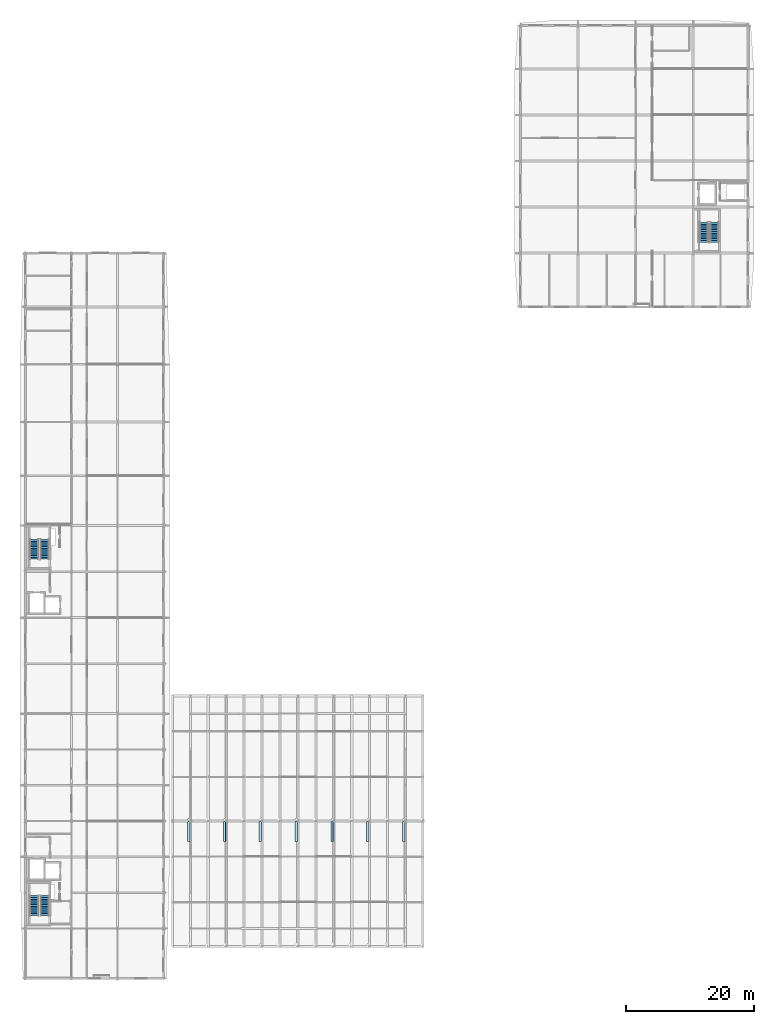
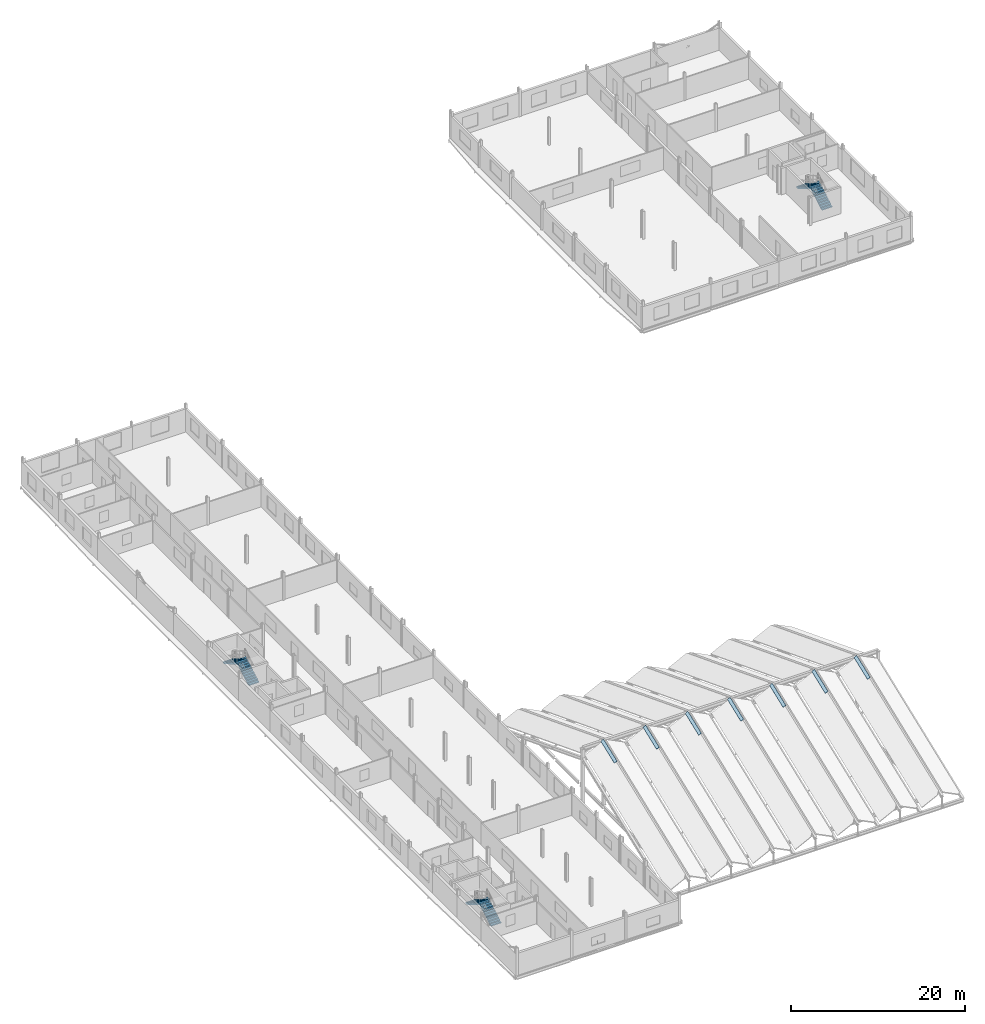
# One storey, part 46 of 49: 7 roofs, 6 stair flights, 3 elements without a shape of their own.
"""IFC4 building model written with IfcOpenShell, lengths in metres."""

from ifc_helpers import new_model, si_unit, direction, frame, origin, place, context, subcontext, project, spatial, polyline, outline, extrude, material, layer, layer_set, type_object, element, aggregate, save


model = new_model("IFC4")

# Units and contexts
model_context = context("Model", 3, precision=1e-05, world=origin(), true_north=direction((0.0, 1.0)))
body_context = subcontext(model_context, "Body", "Model", "MODEL_VIEW")
ifc_project = project(units=[si_unit("LENGTHUNIT", "METRE"), si_unit("AREAUNIT", "SQUARE_METRE"), si_unit("VOLUMEUNIT", "CUBIC_METRE"), si_unit("PLANEANGLEUNIT", "RADIAN"), si_unit("MASSUNIT", "GRAM", prefix="KILO")], contexts=[model_context])

# Site, building, storey
site_placement = place(None, origin())
site = spatial("IfcSite", under=ifc_project, at=site_placement, CompositionType="ELEMENT")
building_placement = place(site_placement, origin())
building = spatial("IfcBuilding", under=site, at=building_placement, Name="Vinh Khe Railworks Police Headquarters", CompositionType="ELEMENT")
storey_placement = place(building_placement, frame((0.0, 0.0, 17.10009765625)))
storey = spatial("IfcBuildingStorey", under=building, at=storey_placement, Name="L04", CompositionType="ELEMENT", Elevation=17.10009765625)

# Stair, stair flights
ifc_material_1 = material(Name="Precast concrete C40/50 (B40)", Category="concrete")
stair_type = type_object("IfcStairType", Name="ST-CORE-DOGLEG", PredefinedType="HALF_TURN_STAIR", material=ifc_material_1)
stair_1_placement = place(storey_placement, origin())
stair_1 = element("IfcStair", 1, at=stair_1_placement, inside=storey, type_object=stair_type, Name="L04 Escape Stair ST-01", PredefinedType="HALF_TURN_STAIR")
stair_flight_type = type_object("IfcStairFlightType", Name="STF-PRECAST-1350", PredefinedType="STRAIGHT", material=ifc_material_1)
stair_flight_1_placement = place(storey_placement, frame((3.625, 27.25, 0.0), z_axis=(0.0, 0.0, 1.0), x_axis=(0.0, 1.0, 0.0)))
stair_flight_1 = element("IfcStairFlight", 2, at=stair_flight_1_placement, type_object=stair_flight_type, Name="ST-01 flight 1", NumberOfRisers=12, NumberOfTreads=11, PredefinedType="STRAIGHT", RiserHeight=0.1625, TreadLength=0.28, context=body_context, shape_type="SweptSolid", body=[
    extrude(outline(polyline([(0.0, 0.0), (0.0, 0.16259765625), (0.280029296875, 0.16259765625), (0.280029296875, 0.324951171875), (0.56005859375, 0.324951171875), (0.56005859375, 0.487548828125), (0.840087890625, 0.487548828125), (0.840087890625, 0.64990234375), (1.1201171875, 0.64990234375), (1.1201171875, 0.8125), (1.39990234375, 0.8125), (1.39990234375, 0.97509765625), (1.679931640625, 0.97509765625), (1.679931640625, 1.137451171875), (1.9599609375, 1.137451171875), (1.9599609375, 1.300048828125), (2.239990234375, 1.300048828125), (2.239990234375, 1.46240234375), (2.52001953125, 1.46240234375), (2.52001953125, 1.625), (2.800048828125, 1.625), (2.800048828125, 1.78759765625), (3.080078125, 1.78759765625), (3.080078125, 1.949951171875), (3.080078125, 1.6142578125), (0.298583984375, 0.0), (0.0, 0.0)])), frame((0.0, 0.675048828125, 0.0), z_axis=(0.0, -1.0, 0.0), x_axis=(1.0, 0.0, 0.0)), (0.0, 0.0, 1.0), 1.35009765625),
])
stair_flight_2_placement = place(storey_placement, frame((1.97509765625, 30.330078125, 1.949951171875), z_axis=(0.0, 0.0, 1.0), x_axis=(0.0, -1.0, 0.0)))
stair_flight_2 = element("IfcStairFlight", 3, at=stair_flight_2_placement, type_object=stair_flight_type, Name="ST-01 flight 2", NumberOfRisers=12, NumberOfTreads=11, PredefinedType="STRAIGHT", RiserHeight=0.1625, TreadLength=0.28, context=body_context, shape_type="SweptSolid", body=[
    extrude(outline(polyline([(0.0, 0.0), (0.0, 0.16259765625), (0.280029296875, 0.16259765625), (0.280029296875, 0.324951171875), (0.56005859375, 0.324951171875), (0.56005859375, 0.487548828125), (0.840087890625, 0.487548828125), (0.840087890625, 0.64990234375), (1.1201171875, 0.64990234375), (1.1201171875, 0.8125), (1.39990234375, 0.8125), (1.39990234375, 0.97509765625), (1.679931640625, 0.97509765625), (1.679931640625, 1.137451171875), (1.9599609375, 1.137451171875), (1.9599609375, 1.300048828125), (2.239990234375, 1.300048828125), (2.239990234375, 1.46240234375), (2.52001953125, 1.46240234375), (2.52001953125, 1.625), (2.800048828125, 1.625), (2.800048828125, 1.78759765625), (3.080078125, 1.78759765625), (3.080078125, 1.949951171875), (3.080078125, 1.6142578125), (0.298583984375, 0.0), (0.0, 0.0)])), frame((0.0, 0.675048828125, 0.0), z_axis=(0.0, -1.0, 0.0), x_axis=(1.0, 0.0, 0.0)), (0.0, 0.0, 1.0), 1.35009765625),
])
aggregate(stair_1, [stair_flight_1, stair_flight_2])

stair_2_placement = place(storey_placement, origin())
stair_2 = element("IfcStair", 4, at=stair_2_placement, inside=storey, type_object=stair_type, Name="L04 Escape Stair ST-02", PredefinedType="HALF_TURN_STAIR")
stair_flight_3_placement = place(storey_placement, frame((3.625, 82.949951171875, 0.0), z_axis=(0.0, 0.0, 1.0), x_axis=(0.0, 1.0, 0.0)))
stair_flight_3 = element("IfcStairFlight", 5, at=stair_flight_3_placement, type_object=stair_flight_type, Name="ST-02 flight 1", NumberOfRisers=12, NumberOfTreads=11, PredefinedType="STRAIGHT", RiserHeight=0.1625, TreadLength=0.28, context=body_context, shape_type="SweptSolid", body=[
    extrude(outline(polyline([(0.0, 0.0), (0.0, 0.16259765625), (0.280029296875, 0.16259765625), (0.280029296875, 0.324951171875), (0.56005859375, 0.324951171875), (0.56005859375, 0.487548828125), (0.840087890625, 0.487548828125), (0.840087890625, 0.64990234375), (1.1201171875, 0.64990234375), (1.1201171875, 0.8125), (1.39990234375, 0.8125), (1.39990234375, 0.97509765625), (1.679931640625, 0.97509765625), (1.679931640625, 1.137451171875), (1.9599609375, 1.137451171875), (1.9599609375, 1.300048828125), (2.239990234375, 1.300048828125), (2.239990234375, 1.46240234375), (2.52001953125, 1.46240234375), (2.52001953125, 1.625), (2.800048828125, 1.625), (2.800048828125, 1.78759765625), (3.080078125, 1.78759765625), (3.080078125, 1.949951171875), (3.080078125, 1.6142578125), (0.298583984375, 0.0), (0.0, 0.0)])), frame((0.0, 0.675048828125, 0.0), z_axis=(0.0, -1.0, 0.0), x_axis=(1.0, 0.0, 0.0)), (0.0, 0.0, 1.0), 1.35009765625),
])
stair_flight_4_placement = place(storey_placement, frame((1.97509765625, 86.030029296875, 1.949951171875), z_axis=(0.0, 0.0, 1.0), x_axis=(0.0, -1.0, 0.0)))
stair_flight_4 = element("IfcStairFlight", 6, at=stair_flight_4_placement, type_object=stair_flight_type, Name="ST-02 flight 2", NumberOfRisers=12, NumberOfTreads=11, PredefinedType="STRAIGHT", RiserHeight=0.1625, TreadLength=0.28, context=body_context, shape_type="SweptSolid", body=[
    extrude(outline(polyline([(0.0, 0.0), (0.0, 0.16259765625), (0.280029296875, 0.16259765625), (0.280029296875, 0.324951171875), (0.56005859375, 0.324951171875), (0.56005859375, 0.487548828125), (0.840087890625, 0.487548828125), (0.840087890625, 0.64990234375), (1.1201171875, 0.64990234375), (1.1201171875, 0.8125), (1.39990234375, 0.8125), (1.39990234375, 0.97509765625), (1.679931640625, 0.97509765625), (1.679931640625, 1.137451171875), (1.9599609375, 1.137451171875), (1.9599609375, 1.300048828125), (2.239990234375, 1.300048828125), (2.239990234375, 1.46240234375), (2.52001953125, 1.46240234375), (2.52001953125, 1.625), (2.800048828125, 1.625), (2.800048828125, 1.78759765625), (3.080078125, 1.78759765625), (3.080078125, 1.949951171875), (3.080078125, 1.6142578125), (0.298583984375, 0.0), (0.0, 0.0)])), frame((0.0, 0.675048828125, 0.0), z_axis=(0.0, -1.0, 0.0), x_axis=(1.0, 0.0, 0.0)), (0.0, 0.0, 1.0), 1.35009765625),
])
aggregate(stair_2, [stair_flight_3, stair_flight_4])

stair_3_placement = place(storey_placement, origin())
stair_3 = element("IfcStair", 7, at=stair_3_placement, inside=storey, type_object=stair_type, Name="L04 Escape Stair ST-03", PredefinedType="HALF_TURN_STAIR")
stair_flight_5_placement = place(storey_placement, frame((108.324951171875, 132.5, 0.0), z_axis=(0.0, 0.0, 1.0), x_axis=(0.0, 1.0, 0.0)))
stair_flight_5 = element("IfcStairFlight", 8, at=stair_flight_5_placement, type_object=stair_flight_type, Name="ST-03 flight 1", NumberOfRisers=12, NumberOfTreads=11, PredefinedType="STRAIGHT", RiserHeight=0.1625, TreadLength=0.28, context=body_context, shape_type="SweptSolid", body=[
    extrude(outline(polyline([(0.0, 0.0), (0.0, 0.16259765625), (0.280029296875, 0.16259765625), (0.280029296875, 0.324951171875), (0.56005859375, 0.324951171875), (0.56005859375, 0.487548828125), (0.840087890625, 0.487548828125), (0.840087890625, 0.64990234375), (1.1201171875, 0.64990234375), (1.1201171875, 0.8125), (1.39990234375, 0.8125), (1.39990234375, 0.97509765625), (1.679931640625, 0.97509765625), (1.679931640625, 1.137451171875), (1.9599609375, 1.137451171875), (1.9599609375, 1.300048828125), (2.239990234375, 1.300048828125), (2.239990234375, 1.46240234375), (2.52001953125, 1.46240234375), (2.52001953125, 1.625), (2.800048828125, 1.625), (2.800048828125, 1.78759765625), (3.080078125, 1.78759765625), (3.080078125, 1.949951171875), (3.080078125, 1.6142578125), (0.298583984375, 0.0), (0.0, 0.0)])), frame((0.0, 0.675048828125, 0.0), z_axis=(0.0, -1.0, 0.0), x_axis=(1.0, 0.0, 0.0)), (0.0, 0.0, 1.0), 1.35009765625),
])
stair_flight_6_placement = place(storey_placement, frame((106.675048828125, 135.580078125, 1.949951171875), z_axis=(0.0, 0.0, 1.0), x_axis=(0.0, -1.0, 0.0)))
stair_flight_6 = element("IfcStairFlight", 9, at=stair_flight_6_placement, type_object=stair_flight_type, Name="ST-03 flight 2", NumberOfRisers=12, NumberOfTreads=11, PredefinedType="STRAIGHT", RiserHeight=0.1625, TreadLength=0.28, context=body_context, shape_type="SweptSolid", body=[
    extrude(outline(polyline([(0.0, 0.0), (0.0, 0.16259765625), (0.280029296875, 0.16259765625), (0.280029296875, 0.324951171875), (0.56005859375, 0.324951171875), (0.56005859375, 0.487548828125), (0.840087890625, 0.487548828125), (0.840087890625, 0.64990234375), (1.1201171875, 0.64990234375), (1.1201171875, 0.8125), (1.39990234375, 0.8125), (1.39990234375, 0.97509765625), (1.679931640625, 0.97509765625), (1.679931640625, 1.137451171875), (1.9599609375, 1.137451171875), (1.9599609375, 1.300048828125), (2.239990234375, 1.300048828125), (2.239990234375, 1.46240234375), (2.52001953125, 1.46240234375), (2.52001953125, 1.625), (2.800048828125, 1.625), (2.800048828125, 1.78759765625), (3.080078125, 1.78759765625), (3.080078125, 1.949951171875), (3.080078125, 1.6142578125), (0.298583984375, 0.0), (0.0, 0.0)])), frame((0.0, 0.675048828125, 0.0), z_axis=(0.0, -1.0, 0.0), x_axis=(1.0, 0.0, 0.0)), (0.0, 0.0, 1.0), 1.35009765625),
])
aggregate(stair_3, [stair_flight_5, stair_flight_6])

# Roofs
ifc_material_2 = material(Name="Steel S355JR", Category="steel")
ifc_layer = layer(ifc_material_2, 0.080078125)
ifc_layer_set = layer_set([ifc_layer], Name="Steel S355JR")
roof_type = type_object("IfcRoofType", Name="Gable Roof Ridge Cap Assembly", PredefinedType="GABLE_ROOF", material=ifc_layer_set)
roof_1_placement = place(storey_placement, frame((25.949951171875, 38.800048828125, 7.85400390625), z_axis=(-0.422522110336, -0.327681753208, 0.845044220672), x_axis=(0.894414166941, 8.3945184e-05, 0.447239634791)))
element("IfcRoof", 10, at=roof_1_placement, inside=storey, type_object=roof_type, Name="Folded Roof Bay 1 Ridge Cap", PredefinedType="GABLE_ROOF", context=body_context, shape_type="SweptSolid", body=[
    extrude(outline(polyline([(0.0, 0.0), (0.4026669303501243, 0.0), (0.9404663869129062, 3.280920220160667), (0.5379086459267444, 3.280991765017508), (0.0, 0.0)])), origin(), (0.0, 0.0, -1.0), 0.06005859375),
])
roof_2_placement = place(storey_placement, frame((31.550048828125, 38.800048828125, 7.85400390625), z_axis=(-0.422757543389, -0.327642059467, 0.84494185621), x_axis=(0.894292780736, 8.3970376e-05, 0.447482307217)))
element("IfcRoof", 11, at=roof_2_placement, inside=storey, type_object=roof_type, Name="Folded Roof Bay 2 Ridge Cap", PredefinedType="GABLE_ROOF", context=body_context, shape_type="SweptSolid", body=[
    extrude(outline(polyline([(0.0, 0.0), (0.4024486087722593, 0.0), (0.9405398124570205, 3.2808723844517345), (0.5382004522949215, 3.2809439109237406), (0.0, 0.0)])), origin(), (0.0, 0.0, -1.0), 0.06005859375),
])
for number, where, z_axis, x_axis, name in (
    (12, (37.14990234375, 38.800048828125, 7.85400390625), (-0.422522110336, -0.327681753208, 0.845044220672), (0.894414166941, 8.3945184e-05, 0.447239634791), "Folded Roof Bay 3 Ridge Cap"),
    (13, (42.75, 38.800048828125, 7.85400390625), (-0.422522110336, -0.327681753208, 0.845044220672), (0.894414166941, 8.3945184e-05, 0.447239634791), "Folded Roof Bay 4 Ridge Cap"),
):
    element("IfcRoof", number, at=place(storey_placement, frame(where, z_axis=z_axis, x_axis=x_axis)), inside=storey, type_object=roof_type, Name=name, PredefinedType="GABLE_ROOF", context=body_context, shape_type="SweptSolid", body=[
        extrude(outline(polyline([(0.0, 0.0), (0.4026669303501243, 0.0), (0.9404663869129062, 3.280920220160667), (0.5379086459267444, 3.280991765017508), (0.0, 0.0)])), origin(), (0.0, 0.0, -1.0), 0.06005859375),
    ])
roof_3_placement = place(storey_placement, frame((48.35009765625, 38.800048828125, 7.85400390625), z_axis=(-0.422757543389, -0.327642059467, 0.84494185621), x_axis=(0.894292780736, 8.3970376e-05, 0.447482307217)))
element("IfcRoof", 14, at=roof_3_placement, inside=storey, type_object=roof_type, Name="Folded Roof Bay 5 Ridge Cap", PredefinedType="GABLE_ROOF", context=body_context, shape_type="SweptSolid", body=[
    extrude(outline(polyline([(0.0, 0.0), (0.4024486087722593, 0.0), (0.9405398124570205, 3.2808723844517345), (0.5382004522949215, 3.2809439109237406), (0.0, 0.0)])), origin(), (0.0, 0.0, -1.0), 0.06005859375),
])
roof_4_placement = place(storey_placement, frame((53.949951171875, 38.800048828125, 7.85400390625), z_axis=(-0.422522110336, -0.327681753208, 0.845044220672), x_axis=(0.894414166941, 8.3945184e-05, 0.447239634791)))
element("IfcRoof", 15, at=roof_4_placement, inside=storey, type_object=roof_type, Name="Folded Roof Bay 6 Ridge Cap", PredefinedType="GABLE_ROOF", context=body_context, shape_type="SweptSolid", body=[
    extrude(outline(polyline([(0.0, 0.0), (0.4026669303501243, 0.0), (0.9404663869129062, 3.280920220160667), (0.5379086459267444, 3.280991765017508), (0.0, 0.0)])), origin(), (0.0, 0.0, -1.0), 0.06005859375),
])
roof_5_placement = place(storey_placement, frame((59.550048828125, 38.800048828125, 7.85400390625), z_axis=(-0.422757543389, -0.327642059467, 0.84494185621), x_axis=(0.894292780736, 8.3970376e-05, 0.447482307217)))
element("IfcRoof", 16, at=roof_5_placement, inside=storey, type_object=roof_type, Name="Folded Roof Bay 7 Ridge Cap", PredefinedType="GABLE_ROOF", context=body_context, shape_type="SweptSolid", body=[
    extrude(outline(polyline([(0.0, 0.0), (0.4024486087722593, 0.0), (0.9405398124570205, 3.2808723844517345), (0.5382004522949215, 3.2809439109237406), (0.0, 0.0)])), origin(), (0.0, 0.0, -1.0), 0.06005859375),
])

save(model, "model.ifc")
